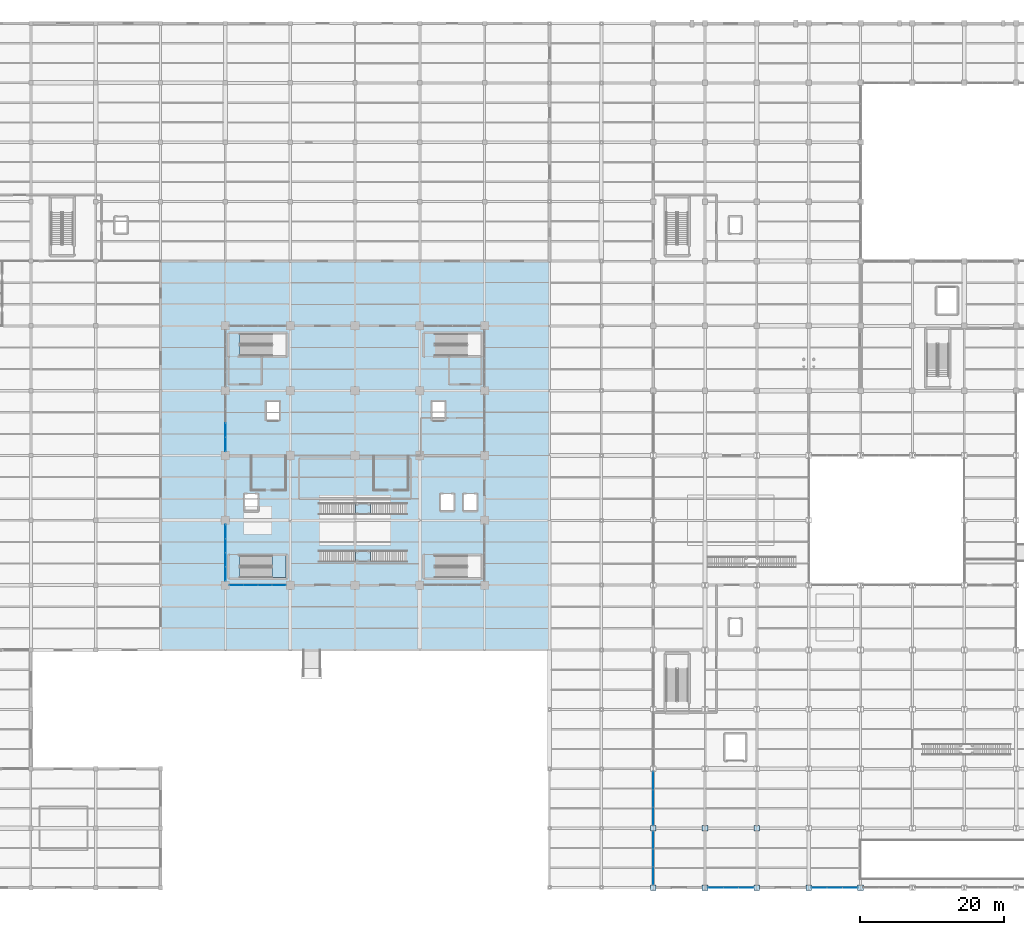
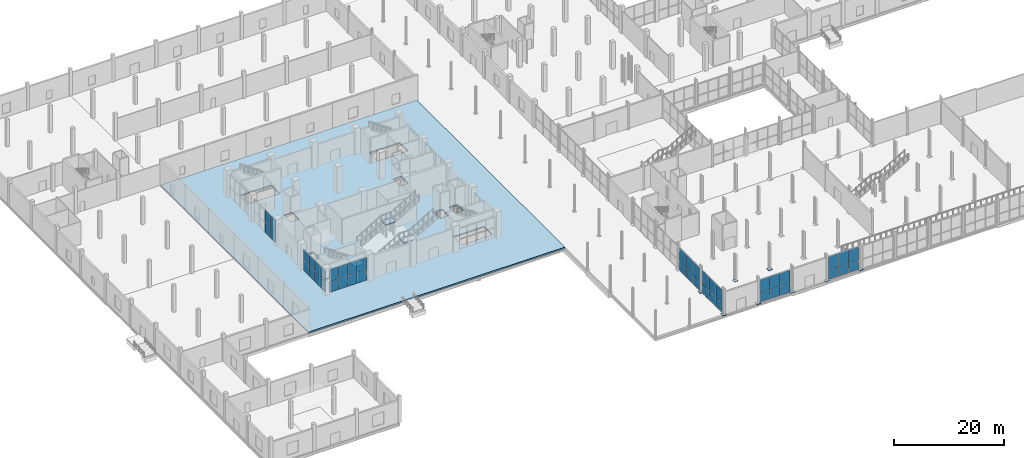
# One storey, part 115 of 144: 52 plates, 4 slabs, 10 elements without a shape of their own.
"""IFC4 building model written with IfcOpenShell, lengths in metres."""

from ifc_helpers import new_model, si_unit, direction, frame, origin, origin_2d, place, context, subcontext, project, spatial, polyline, rectangle, outline, extrude, material, layer, layer_set, type_object, element, aggregate, save


model = new_model("IFC4")

# Units and contexts
model_context = context("Model", 3, precision=1e-05, world=origin(), true_north=direction((0.0, 1.0)))
body_context = subcontext(model_context, "Body", "Model", "MODEL_VIEW")
ifc_project = project(units=[si_unit("LENGTHUNIT", "METRE"), si_unit("AREAUNIT", "SQUARE_METRE"), si_unit("VOLUMEUNIT", "CUBIC_METRE"), si_unit("PLANEANGLEUNIT", "RADIAN"), si_unit("MASSUNIT", "GRAM", prefix="KILO")], contexts=[model_context])

# Site, building, storey
site_placement = place(None, origin())
site = spatial("IfcSite", under=ifc_project, at=site_placement, CompositionType="ELEMENT")
building_placement = place(site_placement, origin())
building = spatial("IfcBuilding", under=site, at=building_placement, Name="Sundgate Opera House", CompositionType="ELEMENT")
storey_placement = place(building_placement, origin())
storey = spatial("IfcBuildingStorey", under=building, at=storey_placement, Name="L00", CompositionType="ELEMENT", Elevation=0.0)

# Curtain wall, plates
ifc_material_1 = material(Name="Anodized aluminium and low-iron glass", Category="aluminium")
ifc_layer_1 = layer(ifc_material_1, 0.179931640625)
ifc_layer_set_1 = layer_set([ifc_layer_1], Name="Anodized aluminium and low-iron glass")
curtain_wall_type_1 = type_object("IfcCurtainWallType", Name="CW-FOYER-GLASS", PredefinedType="NOTDEFINED", material=ifc_layer_set_1)
curtain_wall_1_placement = place(storey_placement, origin())
curtain_wall_1 = element("IfcCurtainWall", 1, at=curtain_wall_1_placement, inside=storey, type_object=curtain_wall_type_1, Name="L00 Curtain Wall CW001", PredefinedType="NOTDEFINED")
ifc_material_2 = material(Name="Low-iron triple acoustic glazing", Category="glass")
ifc_layer_2 = layer(ifc_material_2, 0.035888671875)
ifc_layer_set_2 = layer_set([ifc_layer_2], Name="Low-iron triple acoustic glazing")
plate_type_1 = type_object("IfcPlateType", Name="CWP-CLEAR-36", PredefinedType="CURTAIN_PANEL", material=ifc_layer_set_2)
plate_1_placement = place(storey_placement, frame((43.425048828125, 42.0, 0.02001953125), z_axis=(0.0, 0.0, 1.0), x_axis=(-1.0, 0.0, 0.0)))
plate_1 = element("IfcPlate", 2, at=plate_1_placement, type_object=plate_type_1, Name="CW001 Panel 1", PredefinedType="CURTAIN_PANEL", context=body_context, shape_type="SweptSolid", body=[
    extrude(rectangle(XDim=1.909912109375, YDim=0.035888671875, at=origin_2d()), origin(), (0.0, 0.0, 1.0), 2.260009765625),
])
plate_2_placement = place(storey_placement, frame((43.425048828125, 42.0, 2.320068359375), z_axis=(0.0, 0.0, 1.0), x_axis=(-1.0, 0.0, 0.0)))
plate_2 = element("IfcPlate", 3, at=plate_2_placement, type_object=plate_type_1, Name="CW001 Panel 2", PredefinedType="CURTAIN_PANEL", context=body_context, shape_type="SweptSolid", body=[
    extrude(rectangle(XDim=1.909912109375, YDim=0.035888671875, at=origin_2d()), origin(), (0.0, 0.0, 1.0), 2.72509765625),
])
plate_3_placement = place(storey_placement, frame((41.47509765625, 42.0, 0.02001953125), z_axis=(0.0, 0.0, 1.0), x_axis=(-1.0, 0.0, 0.0)))
plate_3 = element("IfcPlate", 4, at=plate_3_placement, type_object=plate_type_1, Name="CW001 Panel 3", PredefinedType="CURTAIN_PANEL", context=body_context, shape_type="SweptSolid", body=[
    extrude(rectangle(XDim=1.909912109375, YDim=0.035888671875, at=origin_2d()), origin(), (0.0, 0.0, 1.0), 2.260009765625),
])
plate_4_placement = place(storey_placement, frame((41.47509765625, 42.0, 2.320068359375), z_axis=(0.0, 0.0, 1.0), x_axis=(-1.0, 0.0, 0.0)))
plate_4 = element("IfcPlate", 5, at=plate_4_placement, type_object=plate_type_1, Name="CW001 Panel 4", PredefinedType="CURTAIN_PANEL", context=body_context, shape_type="SweptSolid", body=[
    extrude(rectangle(XDim=1.909912109375, YDim=0.035888671875, at=origin_2d()), origin(), (0.0, 0.0, 1.0), 2.72509765625),
])
plate_5_placement = place(storey_placement, frame((39.52490234375, 42.0, 0.02001953125), z_axis=(0.0, 0.0, 1.0), x_axis=(-1.0, 0.0, 0.0)))
plate_5 = element("IfcPlate", 6, at=plate_5_placement, type_object=plate_type_1, Name="CW001 Panel 5", PredefinedType="CURTAIN_PANEL", context=body_context, shape_type="SweptSolid", body=[
    extrude(rectangle(XDim=1.909912109375, YDim=0.035888671875, at=origin_2d()), origin(), (0.0, 0.0, 1.0), 2.260009765625),
])
plate_6_placement = place(storey_placement, frame((39.52490234375, 42.0, 2.320068359375), z_axis=(0.0, 0.0, 1.0), x_axis=(-1.0, 0.0, 0.0)))
plate_6 = element("IfcPlate", 7, at=plate_6_placement, type_object=plate_type_1, Name="CW001 Panel 6", PredefinedType="CURTAIN_PANEL", context=body_context, shape_type="SweptSolid", body=[
    extrude(rectangle(XDim=1.909912109375, YDim=0.035888671875, at=origin_2d()), origin(), (0.0, 0.0, 1.0), 2.72509765625),
])
plate_7_placement = place(storey_placement, frame((37.574951171875, 42.0, 0.02001953125), z_axis=(0.0, 0.0, 1.0), x_axis=(-1.0, 0.0, 0.0)))
plate_7 = element("IfcPlate", 8, at=plate_7_placement, type_object=plate_type_1, Name="CW001 Panel 7", PredefinedType="CURTAIN_PANEL", context=body_context, shape_type="SweptSolid", body=[
    extrude(rectangle(XDim=1.909912109375, YDim=0.035888671875, at=origin_2d()), origin(), (0.0, 0.0, 1.0), 2.260009765625),
])
plate_8_placement = place(storey_placement, frame((37.574951171875, 42.0, 2.320068359375), z_axis=(0.0, 0.0, 1.0), x_axis=(-1.0, 0.0, 0.0)))
plate_8 = element("IfcPlate", 9, at=plate_8_placement, type_object=plate_type_1, Name="CW001 Panel 8", PredefinedType="CURTAIN_PANEL", context=body_context, shape_type="SweptSolid", body=[
    extrude(rectangle(XDim=1.909912109375, YDim=0.035888671875, at=origin_2d()), origin(), (0.0, 0.0, 1.0), 2.72509765625),
])
aggregate(curtain_wall_1, [plate_1, plate_2, plate_3, plate_4, plate_5, plate_6, plate_7, plate_8])

curtain_wall_2_placement = place(storey_placement, origin())
curtain_wall_2 = element("IfcCurtainWall", 10, at=curtain_wall_2_placement, inside=storey, type_object=curtain_wall_type_1, Name="L00 Curtain Wall CW005", PredefinedType="NOTDEFINED")
plate_9_placement = place(storey_placement, frame((36.0, 49.425048828125, 0.02001953125), z_axis=(0.0, 0.0, 1.0), x_axis=(0.0, -1.0, 0.0)))
plate_9 = element("IfcPlate", 11, at=plate_9_placement, type_object=plate_type_1, Name="CW005 Panel 1", PredefinedType="CURTAIN_PANEL", context=body_context, shape_type="SweptSolid", body=[
    extrude(rectangle(XDim=1.909912109375, YDim=0.035888671875, at=origin_2d()), origin(), (0.0, 0.0, 1.0), 2.260009765625),
])
plate_10_placement = place(storey_placement, frame((36.0, 49.425048828125, 2.320068359375), z_axis=(0.0, 0.0, 1.0), x_axis=(0.0, -1.0, 0.0)))
plate_10 = element("IfcPlate", 12, at=plate_10_placement, type_object=plate_type_1, Name="CW005 Panel 2", PredefinedType="CURTAIN_PANEL", context=body_context, shape_type="SweptSolid", body=[
    extrude(rectangle(XDim=1.909912109375, YDim=0.035888671875, at=origin_2d()), origin(), (0.0, 0.0, 1.0), 2.375),
])
plate_11_placement = place(storey_placement, frame((36.0, 47.47509765625, 0.02001953125), z_axis=(0.0, 0.0, 1.0), x_axis=(0.0, -1.0, 0.0)))
plate_11 = element("IfcPlate", 13, at=plate_11_placement, type_object=plate_type_1, Name="CW005 Panel 3", PredefinedType="CURTAIN_PANEL", context=body_context, shape_type="SweptSolid", body=[
    extrude(rectangle(XDim=1.909912109375, YDim=0.035888671875, at=origin_2d()), origin(), (0.0, 0.0, 1.0), 2.260009765625),
])
plate_12_placement = place(storey_placement, frame((36.0, 47.47509765625, 2.320068359375), z_axis=(0.0, 0.0, 1.0), x_axis=(0.0, -1.0, 0.0)))
plate_12 = element("IfcPlate", 14, at=plate_12_placement, type_object=plate_type_1, Name="CW005 Panel 4", PredefinedType="CURTAIN_PANEL", context=body_context, shape_type="SweptSolid", body=[
    extrude(rectangle(XDim=1.909912109375, YDim=0.035888671875, at=origin_2d()), origin(), (0.0, 0.0, 1.0), 2.375),
])
plate_13_placement = place(storey_placement, frame((36.0, 45.52490234375, 0.02001953125), z_axis=(0.0, 0.0, 1.0), x_axis=(0.0, -1.0, 0.0)))
plate_13 = element("IfcPlate", 15, at=plate_13_placement, type_object=plate_type_1, Name="CW005 Panel 5", PredefinedType="CURTAIN_PANEL", context=body_context, shape_type="SweptSolid", body=[
    extrude(rectangle(XDim=1.909912109375, YDim=0.035888671875, at=origin_2d()), origin(), (0.0, 0.0, 1.0), 2.260009765625),
])
plate_14_placement = place(storey_placement, frame((36.0, 45.52490234375, 2.320068359375), z_axis=(0.0, 0.0, 1.0), x_axis=(0.0, -1.0, 0.0)))
plate_14 = element("IfcPlate", 16, at=plate_14_placement, type_object=plate_type_1, Name="CW005 Panel 6", PredefinedType="CURTAIN_PANEL", context=body_context, shape_type="SweptSolid", body=[
    extrude(rectangle(XDim=1.909912109375, YDim=0.035888671875, at=origin_2d()), origin(), (0.0, 0.0, 1.0), 2.375),
])
plate_15_placement = place(storey_placement, frame((36.0, 43.574951171875, 0.02001953125), z_axis=(0.0, 0.0, 1.0), x_axis=(0.0, -1.0, 0.0)))
plate_15 = element("IfcPlate", 17, at=plate_15_placement, type_object=plate_type_1, Name="CW005 Panel 7", PredefinedType="CURTAIN_PANEL", context=body_context, shape_type="SweptSolid", body=[
    extrude(rectangle(XDim=1.909912109375, YDim=0.035888671875, at=origin_2d()), origin(), (0.0, 0.0, 1.0), 2.260009765625),
])
plate_16_placement = place(storey_placement, frame((36.0, 43.574951171875, 2.320068359375), z_axis=(0.0, 0.0, 1.0), x_axis=(0.0, -1.0, 0.0)))
plate_16 = element("IfcPlate", 18, at=plate_16_placement, type_object=plate_type_1, Name="CW005 Panel 8", PredefinedType="CURTAIN_PANEL", context=body_context, shape_type="SweptSolid", body=[
    extrude(rectangle(XDim=1.909912109375, YDim=0.035888671875, at=origin_2d()), origin(), (0.0, 0.0, 1.0), 2.375),
])
aggregate(curtain_wall_2, [plate_9, plate_10, plate_11, plate_12, plate_13, plate_14, plate_15, plate_16])

curtain_wall_3_placement = place(storey_placement, origin())
curtain_wall_3 = element("IfcCurtainWall", 19, at=curtain_wall_3_placement, inside=storey, type_object=curtain_wall_type_1, Name="L00 Curtain Wall CW006", PredefinedType="NOTDEFINED")
plate_17_placement = place(storey_placement, frame((36.0, 63.52490234375, 0.02001953125), z_axis=(0.0, 0.0, 1.0), x_axis=(0.0, -1.0, 0.0)))
plate_17 = element("IfcPlate", 20, at=plate_17_placement, type_object=plate_type_1, Name="CW006 Panel 5", PredefinedType="CURTAIN_PANEL", context=body_context, shape_type="SweptSolid", body=[
    extrude(rectangle(XDim=1.909912109375, YDim=0.035888671875, at=origin_2d()), origin(), (0.0, 0.0, 1.0), 2.260009765625),
])
plate_18_placement = place(storey_placement, frame((36.0, 63.52490234375, 2.31982421875), z_axis=(0.0, 0.0, 1.0), x_axis=(0.0, -1.0, 0.0)))
plate_18 = element("IfcPlate", 21, at=plate_18_placement, type_object=plate_type_1, Name="CW006 Panel 6", PredefinedType="CURTAIN_PANEL", context=body_context, shape_type="SweptSolid", body=[
    extrude(rectangle(XDim=1.909912109375, YDim=0.035888671875, at=origin_2d()), origin(), (0.0, 0.0, 1.0), 2.675048828125),
])
plate_19_placement = place(storey_placement, frame((36.0, 61.574951171875, 0.02001953125), z_axis=(0.0, 0.0, 1.0), x_axis=(0.0, -1.0, 0.0)))
plate_19 = element("IfcPlate", 22, at=plate_19_placement, type_object=plate_type_1, Name="CW006 Panel 7", PredefinedType="CURTAIN_PANEL", context=body_context, shape_type="SweptSolid", body=[
    extrude(rectangle(XDim=1.909912109375, YDim=0.035888671875, at=origin_2d()), origin(), (0.0, 0.0, 1.0), 2.260009765625),
])
plate_20_placement = place(storey_placement, frame((36.0, 61.574951171875, 2.31982421875), z_axis=(0.0, 0.0, 1.0), x_axis=(0.0, -1.0, 0.0)))
plate_20 = element("IfcPlate", 23, at=plate_20_placement, type_object=plate_type_1, Name="CW006 Panel 8", PredefinedType="CURTAIN_PANEL", context=body_context, shape_type="SweptSolid", body=[
    extrude(rectangle(XDim=1.909912109375, YDim=0.035888671875, at=origin_2d()), origin(), (0.0, 0.0, 1.0), 2.675048828125),
])
aggregate(curtain_wall_3, [plate_17, plate_18, plate_19, plate_20])

ifc_material_3 = material(Name="Anodized aluminium and low-iron glass", Category="aluminium")
ifc_layer_3 = layer(ifc_material_3, 0.14990234375)
ifc_layer_set_3 = layer_set([ifc_layer_3], Name="Anodized aluminium and low-iron glass")
curtain_wall_type_2 = type_object("IfcCurtainWallType", Name="CW-WORKSHOP-DARK", PredefinedType="NOTDEFINED", material=ifc_layer_set_3)
curtain_wall_4_placement = place(storey_placement, origin())
curtain_wall_4 = element("IfcCurtainWall", 24, at=curtain_wall_4_placement, inside=storey, type_object=curtain_wall_type_2, Name="L00 Curtain Wall CW122", PredefinedType="NOTDEFINED")
ifc_material_4 = material(Name="Dark solar-control triple acoustic glazing", Category="glass")
ifc_layer_4 = layer(ifc_material_4, 0.031982421875)
ifc_layer_set_4 = layer_set([ifc_layer_4], Name="Dark solar-control triple acoustic glazing")
plate_type_2 = type_object("IfcPlateType", Name="CWP-DARK-32", PredefinedType="CURTAIN_PANEL", material=ifc_layer_set_4)
plate_21_placement = place(storey_placement, frame((108.333251953125, 0.0, 0.02001953125), z_axis=(0.0, 0.0, 1.0), x_axis=(-1.0, 0.0, 0.0)))
plate_21 = element("IfcPlate", 25, at=plate_21_placement, type_object=plate_type_2, Name="CW122 Panel 1", PredefinedType="CURTAIN_PANEL", context=body_context, shape_type="SweptSolid", body=[
    extrude(rectangle(XDim=2.09326171875, YDim=0.031982421875, at=origin_2d()), origin(), (0.0, 0.0, 1.0), 2.06005859375),
])
plate_22_placement = place(storey_placement, frame((108.333251953125, 0.0, 2.1201171875), z_axis=(0.0, 0.0, 1.0), x_axis=(-1.0, 0.0, 0.0)))
plate_22 = element("IfcPlate", 26, at=plate_22_placement, type_object=plate_type_2, Name="CW122 Panel 2", PredefinedType="CURTAIN_PANEL", context=body_context, shape_type="SweptSolid", body=[
    extrude(rectangle(XDim=2.09326171875, YDim=0.031982421875, at=origin_2d()), origin(), (0.0, 0.0, 1.0), 2.875),
])
plate_23_placement = place(storey_placement, frame((106.199951171875, 0.0, 0.02001953125), z_axis=(0.0, 0.0, 1.0), x_axis=(-1.0, 0.0, 0.0)))
plate_23 = element("IfcPlate", 27, at=plate_23_placement, type_object=plate_type_2, Name="CW122 Panel 3", PredefinedType="CURTAIN_PANEL", context=body_context, shape_type="SweptSolid", body=[
    extrude(rectangle(XDim=2.09326171875, YDim=0.031982421875, at=origin_2d()), origin(), (0.0, 0.0, 1.0), 2.06005859375),
])
plate_24_placement = place(storey_placement, frame((106.199951171875, 0.0, 2.1201171875), z_axis=(0.0, 0.0, 1.0), x_axis=(-1.0, 0.0, 0.0)))
plate_24 = element("IfcPlate", 28, at=plate_24_placement, type_object=plate_type_2, Name="CW122 Panel 4", PredefinedType="CURTAIN_PANEL", context=body_context, shape_type="SweptSolid", body=[
    extrude(rectangle(XDim=2.09326171875, YDim=0.031982421875, at=origin_2d()), origin(), (0.0, 0.0, 1.0), 2.875),
])
plate_25_placement = place(storey_placement, frame((104.066650390625, 0.0, 0.02001953125), z_axis=(0.0, 0.0, 1.0), x_axis=(-1.0, 0.0, 0.0)))
plate_25 = element("IfcPlate", 29, at=plate_25_placement, type_object=plate_type_2, Name="CW122 Panel 5", PredefinedType="CURTAIN_PANEL", context=body_context, shape_type="SweptSolid", body=[
    extrude(rectangle(XDim=2.09326171875, YDim=0.031982421875, at=origin_2d()), origin(), (0.0, 0.0, 1.0), 2.06005859375),
])
plate_26_placement = place(storey_placement, frame((104.066650390625, 0.0, 2.1201171875), z_axis=(0.0, 0.0, 1.0), x_axis=(-1.0, 0.0, 0.0)))
plate_26 = element("IfcPlate", 30, at=plate_26_placement, type_object=plate_type_2, Name="CW122 Panel 6", PredefinedType="CURTAIN_PANEL", context=body_context, shape_type="SweptSolid", body=[
    extrude(rectangle(XDim=2.09326171875, YDim=0.031982421875, at=origin_2d()), origin(), (0.0, 0.0, 1.0), 2.875),
])
aggregate(curtain_wall_4, [plate_21, plate_22, plate_23, plate_24, plate_25, plate_26])

curtain_wall_5_placement = place(storey_placement, origin())
curtain_wall_5 = element("IfcCurtainWall", 31, at=curtain_wall_5_placement, inside=storey, type_object=curtain_wall_type_2, Name="L00 Curtain Wall CW123", PredefinedType="NOTDEFINED")
plate_27_placement = place(storey_placement, frame((122.7333984375, 0.0, 0.02001953125), z_axis=(0.0, 0.0, 1.0), x_axis=(-1.0, 0.0, 0.0)))
plate_27 = element("IfcPlate", 32, at=plate_27_placement, type_object=plate_type_2, Name="CW123 Panel 1", PredefinedType="CURTAIN_PANEL", context=body_context, shape_type="SweptSolid", body=[
    extrude(rectangle(XDim=2.09326171875, YDim=0.031982421875, at=origin_2d()), origin(), (0.0, 0.0, 1.0), 2.06005859375),
])
plate_28_placement = place(storey_placement, frame((122.7333984375, 0.0, 2.119873046875), z_axis=(0.0, 0.0, 1.0), x_axis=(-1.0, 0.0, 0.0)))
plate_28 = element("IfcPlate", 33, at=plate_28_placement, type_object=plate_type_2, Name="CW123 Panel 2", PredefinedType="CURTAIN_PANEL", context=body_context, shape_type="SweptSolid", body=[
    extrude(rectangle(XDim=2.09326171875, YDim=0.031982421875, at=origin_2d()), origin(), (0.0, 0.0, 1.0), 2.97509765625),
])
plate_29_placement = place(storey_placement, frame((120.60009765625, 0.0, 0.02001953125), z_axis=(0.0, 0.0, 1.0), x_axis=(-1.0, 0.0, 0.0)))
plate_29 = element("IfcPlate", 34, at=plate_29_placement, type_object=plate_type_2, Name="CW123 Panel 3", PredefinedType="CURTAIN_PANEL", context=body_context, shape_type="SweptSolid", body=[
    extrude(rectangle(XDim=2.09326171875, YDim=0.031982421875, at=origin_2d()), origin(), (0.0, 0.0, 1.0), 2.06005859375),
])
plate_30_placement = place(storey_placement, frame((120.60009765625, 0.0, 2.119873046875), z_axis=(0.0, 0.0, 1.0), x_axis=(-1.0, 0.0, 0.0)))
plate_30 = element("IfcPlate", 35, at=plate_30_placement, type_object=plate_type_2, Name="CW123 Panel 4", PredefinedType="CURTAIN_PANEL", context=body_context, shape_type="SweptSolid", body=[
    extrude(rectangle(XDim=2.09326171875, YDim=0.031982421875, at=origin_2d()), origin(), (0.0, 0.0, 1.0), 2.97509765625),
])
plate_31_placement = place(storey_placement, frame((118.466552734375, 0.0, 0.02001953125), z_axis=(0.0, 0.0, 1.0), x_axis=(-1.0, 0.0, 0.0)))
plate_31 = element("IfcPlate", 36, at=plate_31_placement, type_object=plate_type_2, Name="CW123 Panel 5", PredefinedType="CURTAIN_PANEL", context=body_context, shape_type="SweptSolid", body=[
    extrude(rectangle(XDim=2.09326171875, YDim=0.031982421875, at=origin_2d()), origin(), (0.0, 0.0, 1.0), 2.06005859375),
])
plate_32_placement = place(storey_placement, frame((118.466552734375, 0.0, 2.119873046875), z_axis=(0.0, 0.0, 1.0), x_axis=(-1.0, 0.0, 0.0)))
plate_32 = element("IfcPlate", 37, at=plate_32_placement, type_object=plate_type_2, Name="CW123 Panel 6", PredefinedType="CURTAIN_PANEL", context=body_context, shape_type="SweptSolid", body=[
    extrude(rectangle(XDim=2.09326171875, YDim=0.031982421875, at=origin_2d()), origin(), (0.0, 0.0, 1.0), 2.97509765625),
])
aggregate(curtain_wall_5, [plate_27, plate_28, plate_29, plate_30, plate_31, plate_32])

curtain_wall_6_placement = place(storey_placement, origin())
curtain_wall_6 = element("IfcCurtainWall", 38, at=curtain_wall_6_placement, inside=storey, type_object=curtain_wall_type_2, Name="L00 Curtain Wall CW131", PredefinedType="NOTDEFINED")
plate_33_placement = place(storey_placement, frame((95.39990234375, 6.6083984375, 0.02001953125), z_axis=(0.0, 0.0, 1.0), x_axis=(0.0, -1.0, 0.0)))
plate_33 = element("IfcPlate", 39, at=plate_33_placement, type_object=plate_type_2, Name="CW131 Panel 1", PredefinedType="CURTAIN_PANEL", context=body_context, shape_type="SweptSolid", body=[
    extrude(rectangle(XDim=2.443359375, YDim=0.031982421875, at=origin_2d()), origin(), (0.0, 0.0, 1.0), 2.06005859375),
])
plate_34_placement = place(storey_placement, frame((95.39990234375, 6.6083984375, 2.1201171875), z_axis=(0.0, 0.0, 1.0), x_axis=(0.0, -1.0, 0.0)))
plate_34 = element("IfcPlate", 40, at=plate_34_placement, type_object=plate_type_2, Name="CW131 Panel 2", PredefinedType="CURTAIN_PANEL", context=body_context, shape_type="SweptSolid", body=[
    extrude(rectangle(XDim=2.443359375, YDim=0.031982421875, at=origin_2d()), origin(), (0.0, 0.0, 1.0), 2.925048828125),
])
plate_35_placement = place(storey_placement, frame((95.39990234375, 4.125, 0.02001953125), z_axis=(0.0, 0.0, 1.0), x_axis=(0.0, -1.0, 0.0)))
plate_35 = element("IfcPlate", 41, at=plate_35_placement, type_object=plate_type_2, Name="CW131 Panel 3", PredefinedType="CURTAIN_PANEL", context=body_context, shape_type="SweptSolid", body=[
    extrude(rectangle(XDim=2.443359375, YDim=0.031982421875, at=origin_2d()), origin(), (0.0, 0.0, 1.0), 2.06005859375),
])
plate_36_placement = place(storey_placement, frame((95.39990234375, 4.125, 2.1201171875), z_axis=(0.0, 0.0, 1.0), x_axis=(0.0, -1.0, 0.0)))
plate_36 = element("IfcPlate", 42, at=plate_36_placement, type_object=plate_type_2, Name="CW131 Panel 4", PredefinedType="CURTAIN_PANEL", context=body_context, shape_type="SweptSolid", body=[
    extrude(rectangle(XDim=2.443359375, YDim=0.031982421875, at=origin_2d()), origin(), (0.0, 0.0, 1.0), 2.925048828125),
])
plate_37_placement = place(storey_placement, frame((95.39990234375, 1.6416015625, 0.02001953125), z_axis=(0.0, 0.0, 1.0), x_axis=(0.0, -1.0, 0.0)))
plate_37 = element("IfcPlate", 43, at=plate_37_placement, type_object=plate_type_2, Name="CW131 Panel 5", PredefinedType="CURTAIN_PANEL", context=body_context, shape_type="SweptSolid", body=[
    extrude(rectangle(XDim=2.443359375, YDim=0.031982421875, at=origin_2d()), origin(), (0.0, 0.0, 1.0), 2.06005859375),
])
plate_38_placement = place(storey_placement, frame((95.39990234375, 1.6416015625, 2.1201171875), z_axis=(0.0, 0.0, 1.0), x_axis=(0.0, -1.0, 0.0)))
plate_38 = element("IfcPlate", 44, at=plate_38_placement, type_object=plate_type_2, Name="CW131 Panel 6", PredefinedType="CURTAIN_PANEL", context=body_context, shape_type="SweptSolid", body=[
    extrude(rectangle(XDim=2.443359375, YDim=0.031982421875, at=origin_2d()), origin(), (0.0, 0.0, 1.0), 2.925048828125),
])
aggregate(curtain_wall_6, [plate_33, plate_34, plate_35, plate_36, plate_37, plate_38])

curtain_wall_7_placement = place(storey_placement, origin())
curtain_wall_7 = element("IfcCurtainWall", 45, at=curtain_wall_7_placement, inside=storey, type_object=curtain_wall_type_2, Name="L00 Curtain Wall CW132", PredefinedType="NOTDEFINED")
plate_39_placement = place(storey_placement, frame((95.39990234375, 14.8583984375, 0.02001953125), z_axis=(0.0, 0.0, 1.0), x_axis=(0.0, -1.0, 0.0)))
plate_39 = element("IfcPlate", 46, at=plate_39_placement, type_object=plate_type_2, Name="CW132 Panel 1", PredefinedType="CURTAIN_PANEL", context=body_context, shape_type="SweptSolid", body=[
    extrude(rectangle(XDim=2.443359375, YDim=0.031982421875, at=origin_2d()), origin(), (0.0, 0.0, 1.0), 2.06005859375),
])
plate_40_placement = place(storey_placement, frame((95.39990234375, 14.8583984375, 2.1201171875), z_axis=(0.0, 0.0, 1.0), x_axis=(0.0, -1.0, 0.0)))
plate_40 = element("IfcPlate", 47, at=plate_40_placement, type_object=plate_type_2, Name="CW132 Panel 2", PredefinedType="CURTAIN_PANEL", context=body_context, shape_type="SweptSolid", body=[
    extrude(rectangle(XDim=2.443359375, YDim=0.031982421875, at=origin_2d()), origin(), (0.0, 0.0, 1.0), 2.925048828125),
])
plate_41_placement = place(storey_placement, frame((95.39990234375, 12.375, 0.02001953125), z_axis=(0.0, 0.0, 1.0), x_axis=(0.0, -1.0, 0.0)))
plate_41 = element("IfcPlate", 48, at=plate_41_placement, type_object=plate_type_2, Name="CW132 Panel 3", PredefinedType="CURTAIN_PANEL", context=body_context, shape_type="SweptSolid", body=[
    extrude(rectangle(XDim=2.443359375, YDim=0.031982421875, at=origin_2d()), origin(), (0.0, 0.0, 1.0), 2.06005859375),
])
plate_42_placement = place(storey_placement, frame((95.39990234375, 12.375, 2.1201171875), z_axis=(0.0, 0.0, 1.0), x_axis=(0.0, -1.0, 0.0)))
plate_42 = element("IfcPlate", 49, at=plate_42_placement, type_object=plate_type_2, Name="CW132 Panel 4", PredefinedType="CURTAIN_PANEL", context=body_context, shape_type="SweptSolid", body=[
    extrude(rectangle(XDim=2.443359375, YDim=0.031982421875, at=origin_2d()), origin(), (0.0, 0.0, 1.0), 2.925048828125),
])
plate_43_placement = place(storey_placement, frame((95.39990234375, 9.8916015625, 0.02001953125), z_axis=(0.0, 0.0, 1.0), x_axis=(0.0, -1.0, 0.0)))
plate_43 = element("IfcPlate", 50, at=plate_43_placement, type_object=plate_type_2, Name="CW132 Panel 5", PredefinedType="CURTAIN_PANEL", context=body_context, shape_type="SweptSolid", body=[
    extrude(rectangle(XDim=2.443359375, YDim=0.031982421875, at=origin_2d()), origin(), (0.0, 0.0, 1.0), 2.06005859375),
])
plate_44_placement = place(storey_placement, frame((95.39990234375, 9.8916015625, 2.1201171875), z_axis=(0.0, 0.0, 1.0), x_axis=(0.0, -1.0, 0.0)))
plate_44 = element("IfcPlate", 51, at=plate_44_placement, type_object=plate_type_2, Name="CW132 Panel 6", PredefinedType="CURTAIN_PANEL", context=body_context, shape_type="SweptSolid", body=[
    extrude(rectangle(XDim=2.443359375, YDim=0.031982421875, at=origin_2d()), origin(), (0.0, 0.0, 1.0), 2.925048828125),
])
aggregate(curtain_wall_7, [plate_39, plate_40, plate_41, plate_42, plate_43, plate_44])

# Plates
ifc_material_5 = material(Name="Steel S355J2", Category="steel")
ifc_layer_5 = layer(ifc_material_5, 0.02587890625)
ifc_layer_set_5 = layer_set([ifc_layer_5], Name="Steel S355J2")
plate_type_3 = type_object("IfcPlateType", Name="PT-BAS-26", PredefinedType="USERDEFINED", material=ifc_layer_set_5)
plate_45_placement = place(storey_placement, frame((95.39990234375, 0.0, 0.0), z_axis=(0.0, 0.0, 1.0), x_axis=(1.0, 0.0, 0.0)))
element("IfcPlate", 52, at=plate_45_placement, inside=storey, type_object=plate_type_3, Name="L00 Base Plate PT0210", ObjectType="BASE PLATE", PredefinedType="USERDEFINED", context=body_context, shape_type="SweptSolid", body=[
    extrude(rectangle(XDim=0.7900390625, YDim=0.7900390625, at=origin_2d()), origin(), (0.0, 0.0, 1.0), 0.02587890625),
])
ifc_material_6 = material(Name="Steel S355J2", Category="steel")
ifc_layer_6 = layer(ifc_material_6, 0.030029296875)
ifc_layer_set_6 = layer_set([ifc_layer_6], Name="Steel S355J2")
plate_type_4 = type_object("IfcPlateType", Name="PT-BAS-30", PredefinedType="USERDEFINED", material=ifc_layer_set_6)
plate_46_placement = place(storey_placement, frame((124.199951171875, 0.0, 0.0), z_axis=(0.0, 0.0, 1.0), x_axis=(1.0, 0.0, 0.0)))
element("IfcPlate", 53, at=plate_46_placement, inside=storey, type_object=plate_type_4, Name="L00 Base Plate PT0293", ObjectType="BASE PLATE", PredefinedType="USERDEFINED", context=body_context, shape_type="SweptSolid", body=[
    extrude(rectangle(XDim=0.7900390625, YDim=0.7900390625, at=origin_2d()), origin(), (0.0, 0.0, 1.0), 0.030029296875),
])
ifc_material_7 = material(Name="Steel S355J2", Category="steel")
ifc_layer_7 = layer(ifc_material_7, 0.033935546875)
ifc_layer_set_7 = layer_set([ifc_layer_7], Name="Steel S355J2")
plate_type_5 = type_object("IfcPlateType", Name="PT-BAS-34", PredefinedType="USERDEFINED", material=ifc_layer_set_7)
plate_47_placement = place(storey_placement, frame((95.39990234375, 8.25, 0.0), z_axis=(0.0, 0.0, 1.0), x_axis=(1.0, 0.0, 0.0)))
element("IfcPlate", 54, at=plate_47_placement, inside=storey, type_object=plate_type_5, Name="L00 Base Plate PT0212", ObjectType="BASE PLATE", PredefinedType="USERDEFINED", context=body_context, shape_type="SweptSolid", body=[
    extrude(rectangle(XDim=0.7900390625, YDim=0.7900390625, at=origin_2d()), origin(), (0.0, 0.0, 1.0), 0.033935546875),
])
ifc_material_8 = material(Name="Steel S355J2", Category="steel")
ifc_layer_8 = layer(ifc_material_8, 0.035888671875)
ifc_layer_set_8 = layer_set([ifc_layer_8], Name="Steel S355J2")
plate_type_6 = type_object("IfcPlateType", Name="PT-BAS-36", PredefinedType="USERDEFINED", material=ifc_layer_set_8)
plate_48_placement = place(storey_placement, frame((102.60009765625, 0.0, 0.0), z_axis=(0.0, 0.0, 1.0), x_axis=(1.0, 0.0, 0.0)))
element("IfcPlate", 55, at=plate_48_placement, inside=storey, type_object=plate_type_6, Name="L00 Base Plate PT0233", ObjectType="BASE PLATE", PredefinedType="USERDEFINED", context=body_context, shape_type="SweptSolid", body=[
    extrude(rectangle(XDim=0.7900390625, YDim=0.7900390625, at=origin_2d()), origin(), (0.0, 0.0, 1.0), 0.035888671875),
])
ifc_material_9 = material(Name="Steel S355J2", Category="steel")
ifc_layer_9 = layer(ifc_material_9, 0.044921875)
ifc_layer_set_9 = layer_set([ifc_layer_9], Name="Steel S355J2")
plate_type_7 = type_object("IfcPlateType", Name="PT-BAS-45", PredefinedType="USERDEFINED", material=ifc_layer_set_9)
plate_49_placement = place(storey_placement, frame((102.60009765625, 8.25, 0.0), z_axis=(0.0, 0.0, 1.0), x_axis=(1.0, 0.0, 0.0)))
element("IfcPlate", 56, at=plate_49_placement, inside=storey, type_object=plate_type_7, Name="L00 Base Plate PT0234", ObjectType="BASE PLATE", PredefinedType="USERDEFINED", context=body_context, shape_type="SweptSolid", body=[
    extrude(rectangle(XDim=0.7900390625, YDim=0.7900390625, at=origin_2d()), origin(), (0.0, 0.0, 1.0), 0.044921875),
])
ifc_material_10 = material(Name="Steel S355J2", Category="steel")
ifc_layer_10 = layer(ifc_material_10, 0.050048828125)
ifc_layer_set_10 = layer_set([ifc_layer_10], Name="Steel S355J2")
plate_type_8 = type_object("IfcPlateType", Name="PT-BAS-50", PredefinedType="USERDEFINED", material=ifc_layer_set_10)
plate_50_placement = place(storey_placement, frame((109.800048828125, 0.0, 0.0), z_axis=(0.0, 0.0, 1.0), x_axis=(1.0, 0.0, 0.0)))
element("IfcPlate", 57, at=plate_50_placement, inside=storey, type_object=plate_type_8, Name="L00 Base Plate PT0252", ObjectType="BASE PLATE", PredefinedType="USERDEFINED", context=body_context, shape_type="SweptSolid", body=[
    extrude(rectangle(XDim=0.7900390625, YDim=0.7900390625, at=origin_2d()), origin(), (0.0, 0.0, 1.0), 0.050048828125),
])
ifc_material_11 = material(Name="Steel S355J2", Category="steel")
ifc_layer_11 = layer(ifc_material_11, 0.06201171875)
ifc_layer_set_11 = layer_set([ifc_layer_11], Name="Steel S355J2")
plate_type_9 = type_object("IfcPlateType", Name="PT-BAS-62", PredefinedType="USERDEFINED", material=ifc_layer_set_11)
plate_51_placement = place(storey_placement, frame((117.0, 0.0, 0.0), z_axis=(0.0, 0.0, 1.0), x_axis=(1.0, 0.0, 0.0)))
element("IfcPlate", 58, at=plate_51_placement, inside=storey, type_object=plate_type_9, Name="L00 Base Plate PT0271", ObjectType="BASE PLATE", PredefinedType="USERDEFINED", context=body_context, shape_type="SweptSolid", body=[
    extrude(rectangle(XDim=0.7900390625, YDim=0.7900390625, at=origin_2d()), origin(), (0.0, 0.0, 1.0), 0.06201171875),
])
ifc_material_12 = material(Name="Steel S355J2", Category="steel")
ifc_layer_12 = layer(ifc_material_12, 0.068115234375)
ifc_layer_set_12 = layer_set([ifc_layer_12], Name="Steel S355J2")
plate_type_10 = type_object("IfcPlateType", Name="PT-BAS-68", PredefinedType="USERDEFINED", material=ifc_layer_set_12)
plate_52_placement = place(storey_placement, frame((109.800048828125, 8.25, 0.0), z_axis=(0.0, 0.0, 1.0), x_axis=(1.0, 0.0, 0.0)))
element("IfcPlate", 59, at=plate_52_placement, inside=storey, type_object=plate_type_10, Name="L00 Base Plate PT0253", ObjectType="BASE PLATE", PredefinedType="USERDEFINED", context=body_context, shape_type="SweptSolid", body=[
    extrude(rectangle(XDim=0.7900390625, YDim=0.7900390625, at=origin_2d()), origin(), (0.0, 0.0, 1.0), 0.068115234375),
])

# Slab
ifc_material_13 = material(Name="Concrete C40/50", Category="concrete")
ifc_layer_13 = layer(ifc_material_13, 0.320068359375)
ifc_layer_set_13 = layer_set([ifc_layer_13], Name="Concrete C40/50")
slab_type_1 = type_object("IfcSlabType", Name="SL-FLR-320", PredefinedType="FLOOR", material=ifc_layer_set_13)
slab_1_placement = place(storey_placement, frame((0.0, 0.0, -0.320068359375)))
element("IfcSlab", 60, at=slab_1_placement, inside=storey, type_object=slab_type_1, Name="L00 Structural Floor Slab V1", PredefinedType="FLOOR", context=body_context, shape_type="SweptSolid", body=[
    extrude(outline(polyline([(27.0, 33.0), (81.0, 33.0), (81.0, 87.0), (27.0, 87.0), (27.0, 33.0)]), holes=[polyline([(38.050048828125, 46.10009765625), (44.449951171875, 46.10009765625), (44.449951171875, 43.050048828125), (38.050048828125, 43.050048828125), (38.050048828125, 46.10009765625)]), polyline([(38.050048828125, 76.89990234375), (44.449951171875, 76.89990234375), (44.449951171875, 73.85009765625), (38.050048828125, 73.85009765625), (38.050048828125, 76.89990234375)]), polyline([(65.14990234375, 46.10009765625), (71.550048828125, 46.10009765625), (71.550048828125, 43.050048828125), (65.14990234375, 43.050048828125), (65.14990234375, 46.10009765625)]), polyline([(65.14990234375, 76.89990234375), (71.550048828125, 76.89990234375), (71.550048828125, 73.85009765625), (65.14990234375, 73.85009765625), (65.14990234375, 76.89990234375)]), polyline([(65.919921875, 54.6298828125), (67.679931640625, 54.6298828125), (67.679931640625, 52.3701171875), (65.919921875, 52.3701171875), (65.919921875, 54.6298828125)]), polyline([(69.1201171875, 54.6298828125), (70.8798828125, 54.6298828125), (70.8798828125, 52.3701171875), (69.1201171875, 52.3701171875), (69.1201171875, 54.6298828125)]), polyline([(38.719970703125, 54.6298828125), (40.47998046875, 54.6298828125), (40.47998046875, 52.3701171875), (38.719970703125, 52.3701171875), (38.719970703125, 54.6298828125)]), polyline([(41.719970703125, 67.47998046875), (43.47998046875, 67.47998046875), (43.47998046875, 64.919921875), (41.719970703125, 64.919921875), (41.719970703125, 67.47998046875)]), polyline([(64.719970703125, 67.47998046875), (66.47998046875, 67.47998046875), (66.47998046875, 64.919921875), (64.719970703125, 64.919921875), (64.719970703125, 67.47998046875)])]), origin(), (0.0, 0.0, 1.0), 0.320068359375),
])

# Stair, slab
ifc_material_14 = material(Name="Concrete C35/45", Category="concrete")
stair_type_1 = type_object("IfcStairType", Name="ST-HT-34R-1450", PredefinedType="HALF_TURN_STAIR", material=ifc_material_14)
stair_1_placement = place(storey_placement, origin())
stair_1 = element("IfcStair", 61, at=stair_1_placement, inside=storey, type_object=stair_type_1, Name="L00 Escape Stair ST-01", PredefinedType="HALF_TURN_STAIR")
ifc_material_15 = material(Name="Concrete C35/45", Category="concrete")
ifc_layer_14 = layer(ifc_material_15, 0.199951171875)
ifc_layer_set_14 = layer_set([ifc_layer_14], Name="Concrete C35/45")
slab_type_2 = type_object("IfcSlabType", Name="SL-LAND-200", PredefinedType="LANDING", material=ifc_layer_set_14)
slab_2_placement = place(storey_placement, frame((0.0, 0.0, 2.800048828125)))
slab_2 = element("IfcSlab", 62, at=slab_2_placement, type_object=slab_type_2, Name="ST01L00 Landing 1", PredefinedType="LANDING", context=body_context, shape_type="SweptSolid", body=[
    extrude(outline(polyline([(42.47998046875, 43.050048828125), (44.449951171875, 43.050048828125), (44.449951171875, 46.10009765625), (42.47998046875, 46.10009765625), (42.47998046875, 43.050048828125)])), origin(), (0.0, 0.0, 1.0), 0.199951171875),
])
aggregate(stair_1, [slab_2])

ifc_material_16 = material(Name="Concrete C35/45", Category="concrete")
stair_type_2 = type_object("IfcStairType", Name="ST-SR-36R-1600", PredefinedType="STRAIGHT_RUN_STAIR", material=ifc_material_16)
stair_2_placement = place(storey_placement, origin())
stair_2 = element("IfcStair", 63, at=stair_2_placement, inside=storey, type_object=stair_type_2, Name="Grand Foyer South Monumental Stair", PredefinedType="STRAIGHT_RUN_STAIR")
ifc_material_17 = material(Name="Concrete C35/45", Category="concrete")
ifc_layer_15 = layer(ifc_material_17, 0.219970703125)
ifc_layer_set_15 = layer_set([ifc_layer_15], Name="Concrete C35/45")
slab_type_3 = type_object("IfcSlabType", Name="SL-LAND-220", PredefinedType="LANDING", material=ifc_layer_set_15)
slab_3_placement = place(storey_placement, frame((0.0, 0.0, 2.780029296875)))
slab_3 = element("IfcSlab", 64, at=slab_3_placement, type_object=slab_type_3, Name="Grand Foyer South Monumental Stair Mid Landing", PredefinedType="LANDING", context=body_context, shape_type="SweptSolid", body=[
    extrude(outline(polyline([(54.070068359375, 45.199951171875), (56.159912109375, 45.199951171875), (56.159912109375, 46.800048828125), (54.070068359375, 46.800048828125), (54.070068359375, 45.199951171875)])), origin(), (0.0, 0.0, 1.0), 0.219970703125),
])
aggregate(stair_2, [slab_3])

stair_3_placement = place(storey_placement, origin())
stair_3 = element("IfcStair", 65, at=stair_3_placement, inside=storey, type_object=stair_type_2, Name="Grand Foyer North Monumental Stair", PredefinedType="STRAIGHT_RUN_STAIR")
slab_4_placement = place(storey_placement, frame((0.0, 0.0, 2.780029296875)))
slab_4 = element("IfcSlab", 66, at=slab_4_placement, type_object=slab_type_3, Name="Grand Foyer North Monumental Stair Mid Landing", PredefinedType="LANDING", context=body_context, shape_type="SweptSolid", body=[
    extrude(outline(polyline([(54.070068359375, 51.800048828125), (56.159912109375, 51.800048828125), (56.159912109375, 53.39990234375), (54.070068359375, 53.39990234375), (54.070068359375, 51.800048828125)])), origin(), (0.0, 0.0, 1.0), 0.219970703125),
])
aggregate(stair_3, [slab_4])

save(model, "model.ifc")
